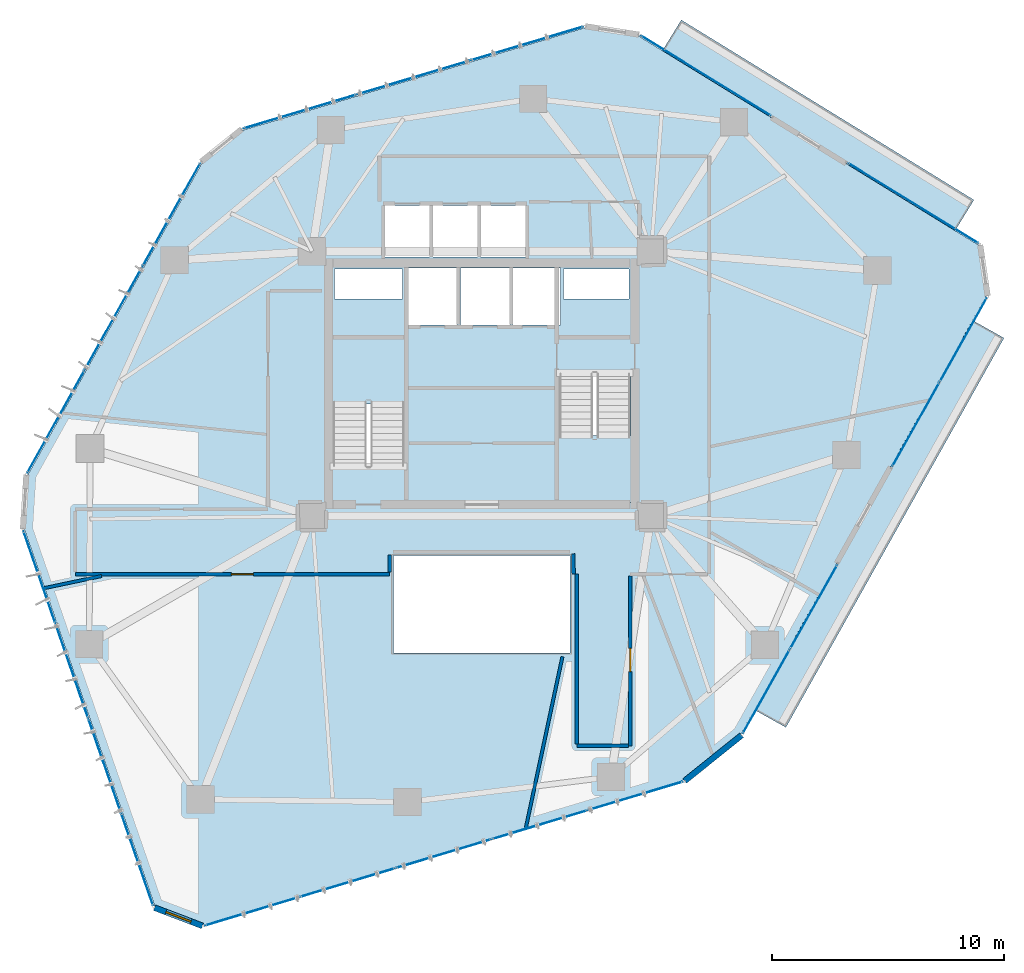
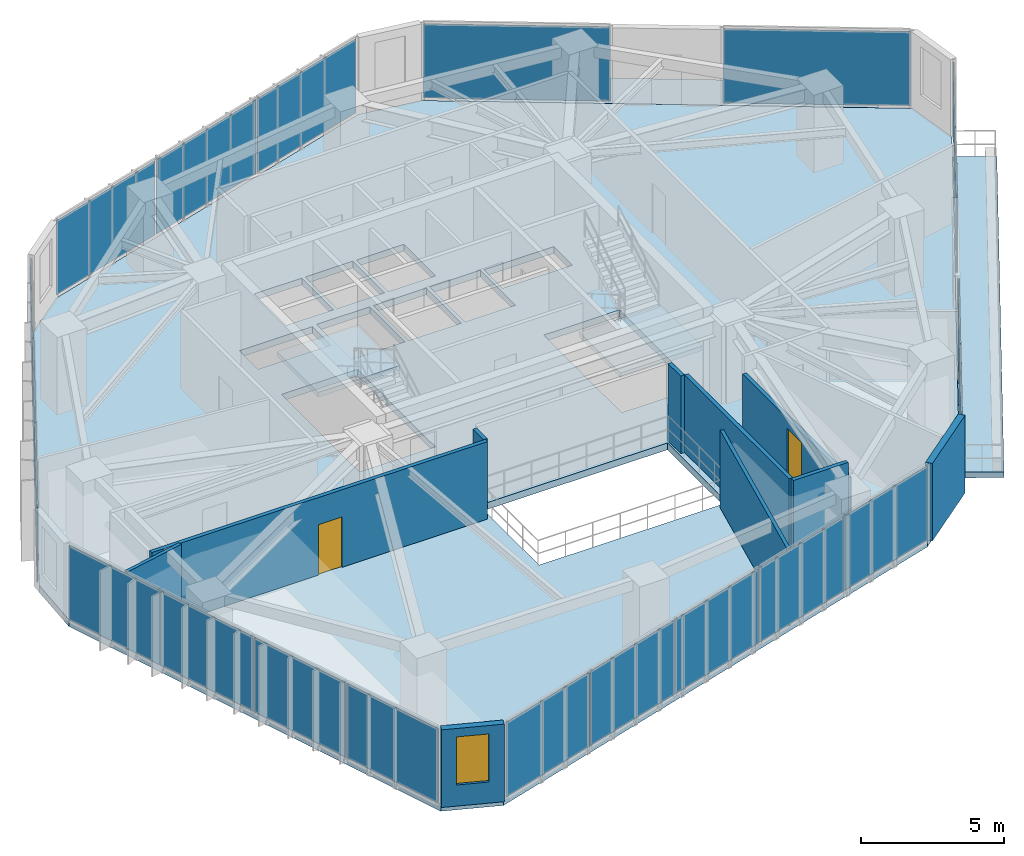
# One storey, part 15 of 21: 21 plates, 10 walls, 5 slabs, 2 doors, 1 window, 3 openings, 10 elements without a shape of their own.
"""IFC4 building model written with IfcOpenShell, lengths in metres."""

from ifc_helpers import new_model, si_unit, direction, frame, frame_2d, origin, origin_2d, place, context, subcontext, project, spatial, polyline, rectangle, outline, extrude, source, transform, mapped, material, layer, layer_set, type_object, type_shapes, element, fill, aggregate, save


model = new_model("IFC4")

# Units and contexts
model_context = context("Model", 3, precision=1e-05, world=origin(), true_north=direction((0.0, 1.0)))
body_context = subcontext(model_context, "Body", "Model", "MODEL_VIEW")
ifc_project = project(units=[si_unit("LENGTHUNIT", "METRE"), si_unit("AREAUNIT", "SQUARE_METRE"), si_unit("VOLUMEUNIT", "CUBIC_METRE"), si_unit("PLANEANGLEUNIT", "RADIAN"), si_unit("MASSUNIT", "GRAM", prefix="KILO")], contexts=[model_context])

# Site, building, storey
site_placement = place(None, origin())
site = spatial("IfcSite", under=ifc_project, at=site_placement, CompositionType="ELEMENT")
building_placement = place(site_placement, origin())
building = spatial("IfcBuilding", under=site, at=building_placement, Name="Talar Marvaseh", CompositionType="ELEMENT")
storey_placement = place(building_placement, frame((0.0, 0.0, 139.800048828125)))
storey = spatial("IfcBuildingStorey", under=building, at=storey_placement, Name="L36", CompositionType="ELEMENT", Elevation=139.800048828125)

# Slabs
ifc_material_1 = material(Name="Concrete C40/50", Category="concrete")
ifc_layer_1 = layer(ifc_material_1, 0.2451171875)
ifc_layer_set_1 = layer_set([ifc_layer_1], Name="Concrete C40/50")
slab_type_1 = type_object("IfcSlabType", Name="External Cantilevered Planted Terrace Slab 245", PredefinedType="FLOOR", material=ifc_layer_set_1)
slab_1_placement = place(storey_placement, frame((0.0, 0.0, -0.2451171875)))
element("IfcSlab", 1, at=slab_1_placement, inside=storey, type_object=slab_type_1, Name="L36 Planted Balcony Terrace 1", PredefinedType="FLOOR", context=body_context, shape_type="SweptSolid", body=[
    extrude(outline(polyline([(33.787841796875, 45.54150390625), (46.386962890625, 37.791748046875), (47.198974609375, 39.112060546875), (34.60009765625, 46.86181640625), (33.787841796875, 45.54150390625)])), origin(), (0.0, 0.0, 1.0), 0.2451171875),
])
slab_2_placement = place(storey_placement, frame((0.0, 0.0, -0.2451171875)))
element("IfcSlab", 2, at=slab_2_placement, inside=storey, type_object=slab_type_1, Name="L36 Planted Balcony Terrace 2", PredefinedType="FLOOR", context=body_context, shape_type="SweptSolid", body=[
    extrude(outline(polyline([(47.143310546875, 33.923095703125), (37.75048828125, 17.156982421875), (39.102783203125, 16.3994140625), (48.49560546875, 33.165283203125), (47.143310546875, 33.923095703125)])), origin(), (0.0, 0.0, 1.0), 0.2451171875),
])

# Stair, slab
stair_type = type_object("IfcStairType", Name="Reinforced Concrete Half-Turn Exit Stair Type B", PredefinedType="HALF_TURN_STAIR", material=ifc_material_1)
stair_1_placement = place(storey_placement, origin())
stair_1 = element("IfcStair", 3, at=stair_1_placement, inside=storey, type_object=stair_type, Name="L36 Tower West Core Exit Stair", PredefinedType="HALF_TURN_STAIR")
ifc_layer_2 = layer(ifc_material_1, 0.199951171875)
ifc_layer_set_2 = layer_set([ifc_layer_2], Name="Concrete C40/50")
slab_type_2 = type_object("IfcSlabType", Name="Reinforced Concrete Stair Half-Landing Slab 200", PredefinedType="LANDING", material=ifc_layer_set_2)
slab_3_placement = place(storey_placement, frame((0.0, 0.0, 1.599853515625)))
slab_3 = element("IfcSlab", 4, at=slab_3_placement, type_object=slab_type_2, Name="ST-1 landing 1", PredefinedType="LANDING", context=body_context, shape_type="SweptSolid", body=[
    extrude(outline(polyline([(22.780029296875, 30.330078125), (22.780029296875, 33.219970703125), (19.47998046875, 33.219970703125), (19.47998046875, 30.330078125), (22.780029296875, 30.330078125)])), origin(), (0.0, 0.0, 1.0), 0.2001953125),
])
aggregate(stair_1, [slab_3])

stair_2_placement = place(storey_placement, origin())
stair_2 = element("IfcStair", 5, at=stair_2_placement, inside=storey, type_object=stair_type, Name="L36 Tower East Core Exit Stair", PredefinedType="HALF_TURN_STAIR")
slab_4_placement = place(storey_placement, frame((0.0, 0.0, 1.599853515625)))
slab_4 = element("IfcSlab", 6, at=slab_4_placement, type_object=slab_type_2, Name="ST-2 landing 1", PredefinedType="LANDING", context=body_context, shape_type="SweptSolid", body=[
    extrude(outline(polyline([(29.219970703125, 28.969970703125), (29.219970703125, 26.080078125), (32.52001953125, 26.080078125), (32.52001953125, 28.969970703125), (29.219970703125, 28.969970703125)])), origin(), (0.0, 0.0, 1.0), 0.2001953125),
])
aggregate(stair_2, [slab_4])

# Slab
ifc_layer_3 = layer(ifc_material_1, 0.2900390625)
ifc_layer_set_3 = layer_set([ifc_layer_3], Name="Concrete C40/50")
slab_type_3 = type_object("IfcSlabType", Name="Structural Suspended Floor Slab 290", PredefinedType="FLOOR", material=ifc_layer_set_3)
slab_5_placement = place(storey_placement, frame((0.0, 0.0, -0.2900390625)))
element("IfcSlab", 7, at=slab_5_placement, inside=storey, type_object=slab_type_3, Name="L36 Tower Floor Slab", PredefinedType="FLOOR", context=body_context, shape_type="SweptSolid", body=[
    extrude(outline(polyline([(14.00390625, 7.902099609375), (11.93212890625, 8.68994140625), (6.307861328125, 24.935546875), (6.455810546875, 27.271484375), (13.959716796875, 40.70849609375), (15.710693359375, 42.113525390625), (30.453125, 46.531494140625), (32.765869140625, 46.17041015625), (47.408935546875, 37.1630859375), (47.72998046875, 34.969970703125), (37.1640625, 16.110107421875), (34.703369140625, 14.13525390625), (14.00390625, 7.902099609375)]), holes=[polyline([(22.659912109375, 27.64990234375), (22.659912109375, 33.10009765625), (19.60009765625, 33.10009765625), (19.60009765625, 27.64990234375), (22.659912109375, 27.64990234375)]), polyline([(29.340087890625, 31.64990234375), (29.340087890625, 26.199951171875), (32.39990234375, 26.199951171875), (32.39990234375, 31.64990234375), (29.340087890625, 31.64990234375)]), polyline([(22.800048828125, 33.719970703125), (24.93994140625, 33.719970703125), (24.93994140625, 36.179931640625), (22.800048828125, 36.179931640625), (22.800048828125, 33.719970703125)]), polyline([(25.080078125, 33.719970703125), (27.219970703125, 33.719970703125), (27.219970703125, 36.179931640625), (25.080078125, 36.179931640625), (25.080078125, 33.719970703125)]), polyline([(27.360107421875, 33.719970703125), (29.39990234375, 33.719970703125), (29.39990234375, 36.179931640625), (27.360107421875, 36.179931640625), (27.360107421875, 33.719970703125)]), polyline([(21.840087890625, 36.659912109375), (23.760009765625, 36.659912109375), (23.760009765625, 38.8798828125), (21.840087890625, 38.8798828125), (21.840087890625, 36.659912109375)]), polyline([(23.89990234375, 36.659912109375), (25.820068359375, 36.659912109375), (25.820068359375, 38.8798828125), (23.89990234375, 38.8798828125), (23.89990234375, 36.659912109375)]), polyline([(25.9599609375, 36.659912109375), (27.8798828125, 36.659912109375), (27.8798828125, 38.8798828125), (25.9599609375, 38.8798828125), (25.9599609375, 36.659912109375)]), polyline([(19.659912109375, 34.840087890625), (22.60009765625, 34.840087890625), (22.60009765625, 36.139892578125), (19.659912109375, 36.139892578125), (19.659912109375, 34.840087890625)]), polyline([(29.52001953125, 34.840087890625), (32.340087890625, 34.840087890625), (32.340087890625, 36.139892578125), (29.52001953125, 36.139892578125), (29.52001953125, 34.840087890625)]), polyline([(22.199951171875, 19.60009765625), (29.800048828125, 19.60009765625), (29.800048828125, 23.800048828125), (22.199951171875, 23.800048828125), (22.199951171875, 19.60009765625)])]), origin(), (0.0, 0.0, 1.0), 0.2900390625),
])

# Curtain wall, plates
ifc_material_2 = material(Name="Architectural Aluminium", Category="aluminium")
ifc_layer_4 = layer(ifc_material_2, 0.199951171875)
ifc_layer_set_4 = layer_set([ifc_layer_4], Name="Architectural Aluminium")
curtain_wall_type = type_object("IfcCurtainWallType", Name="Unitised Acoustic Library Curtain Wall Z2", PredefinedType="NOTDEFINED", material=ifc_layer_set_4)
curtain_wall_1_placement = place(storey_placement, origin())
curtain_wall_1 = element("IfcCurtainWall", 8, at=curtain_wall_1_placement, inside=storey, type_object=curtain_wall_type, Name="L36 Unitised Acoustic Library Curtain Wall Z2", PredefinedType="NOTDEFINED")
ifc_material_3 = material(Name="Laminated Low-E Solar Glass", Category="glass")
ifc_layer_5 = layer(ifc_material_3, 0.028076171875)
ifc_layer_set_5 = layer_set([ifc_layer_5], Name="Laminated Low-E Solar Glass")
plate_type = type_object("IfcPlateType", Name="Double-Glazed Low-E Vision Curtain Panel 28", PredefinedType="CURTAIN_PANEL", material=ifc_layer_set_5)
shared_shape_1 = source(origin(), body_context, "Body", "SweptSolid", [
    extrude(rectangle(XDim=4.185302734375, YDim=0.028076171875, at=origin_2d()), origin(), (0.0, 0.0, 1.0), 3.159912109375),
])
plate_1_placement = place(storey_placement, frame((11.166259765625, 10.71875, 0.0751953125), z_axis=(0.0, 0.0, 1.0), x_axis=(-0.327160309784, 0.944968852239, 0.0)))
plate_1 = element("IfcPlate", 9, at=plate_1_placement, type_object=plate_type, Name="CW-Z2 panel 1.1", PredefinedType="CURTAIN_PANEL", context=body_context, shape_type="MappedRepresentation", body=[
    mapped(shared_shape_1, transform((0.0, 0.0, 0.0), x_axis=(1.0, 0.0, 0.0), y_axis=(0.0, 1.0, 0.0), z_axis=(0.0, 0.0, 1.0), scale=1.0)),
])
plate_2_placement = place(storey_placement, frame((6.960205078125, 22.867431640625, 0.0751953125), z_axis=(0.0, 0.0, 1.0), x_axis=(-0.327160309784, 0.944968852239, 0.0)))
plate_2 = element("IfcPlate", 10, at=plate_2_placement, type_object=plate_type, Name="CW-Z2 panel 4.1", PredefinedType="CURTAIN_PANEL", context=body_context, shape_type="MappedRepresentation", body=[
    mapped(shared_shape_1, transform((0.0, 0.0, 0.0), x_axis=(1.0, 0.0, 0.0), y_axis=(0.0, 1.0, 0.0), z_axis=(0.0, 0.0, 1.0), scale=1.0)),
])
shared_shape_2 = source(origin(), body_context, "Body", "SweptSolid", [
    extrude(rectangle(XDim=4.222900390625, YDim=0.028076171875, at=origin_2d()), origin(), (0.0, 0.0, 1.0), 3.159912109375),
])
plate_3_placement = place(storey_placement, frame((9.766357421875, 14.762451171875, 0.0751953125), z_axis=(0.0, 0.0, 1.0), x_axis=(-0.327160309784, 0.944968852239, 0.0)))
plate_3 = element("IfcPlate", 11, at=plate_3_placement, type_object=plate_type, Name="CW-Z2 panel 2.1", PredefinedType="CURTAIN_PANEL", context=body_context, shape_type="MappedRepresentation", body=[
    mapped(shared_shape_2, transform((0.0, 0.0, 0.0), x_axis=(1.0, 0.0, 0.0), y_axis=(0.0, 1.0, 0.0), z_axis=(0.0, 0.0, 1.0), scale=1.0)),
])
plate_4_placement = place(storey_placement, frame((8.3603515625, 18.82373046875, 0.0751953125), z_axis=(0.0, 0.0, 1.0), x_axis=(-0.327160309784, 0.944968852239, 0.0)))
plate_4 = element("IfcPlate", 12, at=plate_4_placement, type_object=plate_type, Name="CW-Z2 panel 3.1", PredefinedType="CURTAIN_PANEL", context=body_context, shape_type="MappedRepresentation", body=[
    mapped(shared_shape_2, transform((0.0, 0.0, 0.0), x_axis=(1.0, 0.0, 0.0), y_axis=(0.0, 1.0, 0.0), z_axis=(0.0, 0.0, 1.0), scale=1.0)),
])
aggregate(curtain_wall_1, [plate_1, plate_3, plate_4, plate_2])

curtain_wall_2_placement = place(storey_placement, origin())
curtain_wall_2 = element("IfcCurtainWall", 13, at=curtain_wall_2_placement, inside=storey, type_object=curtain_wall_type, Name="L36 Unitised Acoustic Library Curtain Wall Z2", PredefinedType="NOTDEFINED")
shared_shape_3 = source(origin(), body_context, "Body", "SweptSolid", [
    extrude(rectangle(XDim=5.017578125, YDim=0.028076171875, at=origin_2d()), origin(), (0.0, 0.0, 1.0), 3.159912109375),
])
plate_5_placement = place(storey_placement, frame((7.663330078125, 29.556640625, 0.0751953125), z_axis=(0.0, 0.0, 1.0), x_axis=(0.48758367207, 0.873076263983, 0.0)))
plate_5 = element("IfcPlate", 14, at=plate_5_placement, type_object=plate_type, Name="CW-Z2 panel 1.1", PredefinedType="CURTAIN_PANEL", context=body_context, shape_type="MappedRepresentation", body=[
    mapped(shared_shape_3, transform((0.0, 0.0, 0.0), x_axis=(1.0, 0.0, 0.0), y_axis=(0.0, 1.0, 0.0), z_axis=(0.0, 0.0, 1.0), scale=1.0)),
])
plate_6_placement = place(storey_placement, frame((12.647705078125, 38.48193359375, 0.0751953125), z_axis=(0.0, 0.0, 1.0), x_axis=(0.48758367207, 0.873076263983, 0.0)))
plate_6 = element("IfcPlate", 15, at=plate_6_placement, type_object=plate_type, Name="CW-Z2 panel 3.1", PredefinedType="CURTAIN_PANEL", context=body_context, shape_type="MappedRepresentation", body=[
    mapped(shared_shape_3, transform((0.0, 0.0, 0.0), x_axis=(1.0, 0.0, 0.0), y_axis=(0.0, 1.0, 0.0), z_axis=(0.0, 0.0, 1.0), scale=1.0)),
])

curtain_wall_3_placement = place(storey_placement, origin())
curtain_wall_3 = element("IfcCurtainWall", 16, at=curtain_wall_3_placement, inside=storey, type_object=curtain_wall_type, Name="L36 Unitised Acoustic Library Curtain Wall Z2", PredefinedType="NOTDEFINED")
plate_7_placement = place(storey_placement, frame((18.16845703125, 42.912841796875, 0.0751953125), z_axis=(0.0, 0.0, 1.0), x_axis=(0.957912440567, 0.287060544497, 0.0)))
plate_7 = element("IfcPlate", 17, at=plate_7_placement, type_object=plate_type, Name="CW-Z2 panel 1.1", PredefinedType="CURTAIN_PANEL", context=body_context, shape_type="MappedRepresentation", body=[
    mapped(shared_shape_3, transform((0.0, 0.0, 0.0), x_axis=(1.0, 0.0, 0.0), y_axis=(0.0, 1.0, 0.0), z_axis=(0.0, 0.0, 1.0), scale=1.0)),
])
plate_8_placement = place(storey_placement, frame((27.9609375, 45.847412109375, 0.0751953125), z_axis=(0.0, 0.0, 1.0), x_axis=(0.957912440567, 0.287060544497, 0.0)))
plate_8 = element("IfcPlate", 18, at=plate_8_placement, type_object=plate_type, Name="CW-Z2 panel 3.1", PredefinedType="CURTAIN_PANEL", context=body_context, shape_type="MappedRepresentation", body=[
    mapped(shared_shape_3, transform((0.0, 0.0, 0.0), x_axis=(1.0, 0.0, 0.0), y_axis=(0.0, 1.0, 0.0), z_axis=(0.0, 0.0, 1.0), scale=1.0)),
])
shared_shape_4 = source(origin(), body_context, "Body", "SweptSolid", [
    extrude(rectangle(XDim=5.054931640625, YDim=0.028076171875, at=origin_2d()), origin(), (0.0, 0.0, 1.0), 3.159912109375),
])
plate_9_placement = place(storey_placement, frame((23.064697265625, 44.380126953125, 0.0751953125), z_axis=(0.0, 0.0, 1.0), x_axis=(0.957912440567, 0.287060544497, 0.0)))
plate_9 = element("IfcPlate", 19, at=plate_9_placement, type_object=plate_type, Name="CW-Z2 panel 2.1", PredefinedType="CURTAIN_PANEL", context=body_context, shape_type="MappedRepresentation", body=[
    mapped(shared_shape_4, transform((0.0, 0.0, 0.0), x_axis=(1.0, 0.0, 0.0), y_axis=(0.0, 1.0, 0.0), z_axis=(0.0, 0.0, 1.0), scale=1.0)),
])
aggregate(curtain_wall_3, [plate_7, plate_9, plate_8])

# Plate
shared_shape_5 = source(origin(), body_context, "Body", "SweptSolid", [
    extrude(rectangle(XDim=5.05517578125, YDim=0.028076171875, at=origin_2d()), origin(), (0.0, 0.0, 1.0), 3.159912109375),
])
plate_10_placement = place(storey_placement, frame((10.155517578125, 34.019287109375, 0.0751953125), z_axis=(0.0, 0.0, 1.0), x_axis=(0.48758367207, 0.873076263983, 0.0)))
plate_10 = element("IfcPlate", 20, at=plate_10_placement, type_object=plate_type, Name="CW-Z2 panel 2.1", PredefinedType="CURTAIN_PANEL", context=body_context, shape_type="MappedRepresentation", body=[
    mapped(shared_shape_5, transform((0.0, 0.0, 0.0), x_axis=(1.0, 0.0, 0.0), y_axis=(0.0, 1.0, 0.0), z_axis=(0.0, 0.0, 1.0), scale=1.0)),
])

aggregate(curtain_wall_2, [plate_5, plate_10, plate_6])

# Curtain wall, plates
curtain_wall_4_placement = place(storey_placement, origin())
curtain_wall_4 = element("IfcCurtainWall", 21, at=curtain_wall_4_placement, inside=storey, type_object=curtain_wall_type, Name="L36 Unitised Acoustic Library Curtain Wall Z2", PredefinedType="NOTDEFINED")
shared_shape_6 = source(origin(), body_context, "Body", "SweptSolid", [
    extrude(rectangle(XDim=4.2109375, YDim=0.028076171875, at=origin_2d()), origin(), (0.0, 0.0, 1.0), 3.159912109375),
])
plate_11_placement = place(storey_placement, frame((32.6328125, 13.448974609375, 0.0751953125), z_axis=(0.0, 0.0, 1.0), x_axis=(-0.9575272101, -0.288342924167, 0.0)))
plate_11 = element("IfcPlate", 22, at=plate_11_placement, type_object=plate_type, Name="CW-Z2 panel 1.1", PredefinedType="CURTAIN_PANEL", context=body_context, shape_type="MappedRepresentation", body=[
    mapped(shared_shape_6, transform((0.0, 0.0, 0.0), x_axis=(1.0, 0.0, 0.0), y_axis=(0.0, 1.0, 0.0), z_axis=(0.0, 0.0, 1.0), scale=1.0)),
])
plate_12_placement = place(storey_placement, frame((16.109130859375, 8.47314453125, 0.0751953125), z_axis=(0.0, 0.0, 1.0), x_axis=(-0.9575272101, -0.288342924167, 0.0)))
plate_12 = element("IfcPlate", 23, at=plate_12_placement, type_object=plate_type, Name="CW-Z2 panel 5.1", PredefinedType="CURTAIN_PANEL", context=body_context, shape_type="MappedRepresentation", body=[
    mapped(shared_shape_6, transform((0.0, 0.0, 0.0), x_axis=(1.0, 0.0, 0.0), y_axis=(0.0, 1.0, 0.0), z_axis=(0.0, 0.0, 1.0), scale=1.0)),
])
shared_shape_7 = source(origin(), body_context, "Body", "SweptSolid", [
    extrude(rectangle(XDim=4.24853515625, YDim=0.028076171875, at=origin_2d()), origin(), (0.0, 0.0, 1.0), 3.159912109375),
])
plate_13_placement = place(storey_placement, frame((28.5107421875, 12.207763671875, 0.0751953125), z_axis=(0.0, 0.0, 1.0), x_axis=(-0.9575272101, -0.288342924167, 0.0)))
plate_13 = element("IfcPlate", 24, at=plate_13_placement, type_object=plate_type, Name="CW-Z2 panel 2.1", PredefinedType="CURTAIN_PANEL", context=body_context, shape_type="MappedRepresentation", body=[
    mapped(shared_shape_7, transform((0.0, 0.0, 0.0), x_axis=(1.0, 0.0, 0.0), y_axis=(0.0, 1.0, 0.0), z_axis=(0.0, 0.0, 1.0), scale=1.0)),
])
plate_14_placement = place(storey_placement, frame((24.370849609375, 10.961181640625, 0.0751953125), z_axis=(0.0, 0.0, 1.0), x_axis=(-0.9575272101, -0.288342924167, 0.0)))
plate_14 = element("IfcPlate", 25, at=plate_14_placement, type_object=plate_type, Name="CW-Z2 panel 3.1", PredefinedType="CURTAIN_PANEL", context=body_context, shape_type="MappedRepresentation", body=[
    mapped(shared_shape_7, transform((0.0, 0.0, 0.0), x_axis=(1.0, 0.0, 0.0), y_axis=(0.0, 1.0, 0.0), z_axis=(0.0, 0.0, 1.0), scale=1.0)),
])
plate_15_placement = place(storey_placement, frame((20.23095703125, 9.714599609375, 0.0751953125), z_axis=(0.0, 0.0, 1.0), x_axis=(-0.9575272101, -0.288342924167, 0.0)))
plate_15 = element("IfcPlate", 26, at=plate_15_placement, type_object=plate_type, Name="CW-Z2 panel 4.1", PredefinedType="CURTAIN_PANEL", context=body_context, shape_type="MappedRepresentation", body=[
    mapped(shared_shape_7, transform((0.0, 0.0, 0.0), x_axis=(1.0, 0.0, 0.0), y_axis=(0.0, 1.0, 0.0), z_axis=(0.0, 0.0, 1.0), scale=1.0)),
])
aggregate(curtain_wall_4, [plate_11, plate_13, plate_14, plate_15, plate_12])

curtain_wall_5_placement = place(storey_placement, origin())
curtain_wall_5 = element("IfcCurtainWall", 27, at=curtain_wall_5_placement, inside=storey, type_object=curtain_wall_type, Name="L36 Unitised Acoustic Library Curtain Wall Z2", PredefinedType="NOTDEFINED")
shared_shape_8 = source(origin(), body_context, "Body", "SweptSolid", [
    extrude(rectangle(XDim=4.10302734375, YDim=0.028076171875, at=origin_2d()), origin(), (0.0, 0.0, 1.0), 3.159912109375),
])
plate_16_placement = place(storey_placement, frame((46.742919921875, 33.08544921875, 0.0751953125), z_axis=(0.0, 0.0, 1.0), x_axis=(-0.488759751161, -0.87241842349, 0.0)))
plate_16 = element("IfcPlate", 28, at=plate_16_placement, type_object=plate_type, Name="CW-Z2 panel 1.1", PredefinedType="CURTAIN_PANEL", context=body_context, shape_type="MappedRepresentation", body=[
    mapped(shared_shape_8, transform((0.0, 0.0, 0.0), x_axis=(1.0, 0.0, 0.0), y_axis=(0.0, 1.0, 0.0), z_axis=(0.0, 0.0, 1.0), scale=1.0)),
])
plate_17_placement = place(storey_placement, frame((44.700927734375, 29.4404296875, 0.0751953125), z_axis=(0.0, 0.0, 1.0), x_axis=(-0.488759751161, -0.87241842349, 0.0)))
plate_17 = element("IfcPlate", 29, at=plate_17_placement, type_object=plate_type, Name="CW-Z2 panel 2.1", PredefinedType="CURTAIN_PANEL", context=body_context, shape_type="MappedRepresentation", body=[
    mapped(shared_shape_8, transform((0.0, 0.0, 0.0), x_axis=(1.0, 0.0, 0.0), y_axis=(0.0, 1.0, 0.0), z_axis=(0.0, 0.0, 1.0), scale=1.0)),
])
aggregate(curtain_wall_5, [plate_16, plate_17])

curtain_wall_6_placement = place(storey_placement, origin())
curtain_wall_6 = element("IfcCurtainWall", 30, at=curtain_wall_6_placement, inside=storey, type_object=curtain_wall_type, Name="L36 Unitised Acoustic Library Curtain Wall Z2", PredefinedType="NOTDEFINED")
plate_18_placement = place(storey_placement, frame((40.2978515625, 21.5810546875, 0.0751953125), z_axis=(0.0, 0.0, 1.0), x_axis=(-0.488759751161, -0.87241842349, 0.0)))
plate_18 = element("IfcPlate", 31, at=plate_18_placement, type_object=plate_type, Name="CW-Z2 panel 1.1", PredefinedType="CURTAIN_PANEL", context=body_context, shape_type="MappedRepresentation", body=[
    mapped(shared_shape_8, transform((0.0, 0.0, 0.0), x_axis=(1.0, 0.0, 0.0), y_axis=(0.0, 1.0, 0.0), z_axis=(0.0, 0.0, 1.0), scale=1.0)),
])
plate_19_placement = place(storey_placement, frame((38.255859375, 17.93603515625, 0.0751953125), z_axis=(0.0, 0.0, 1.0), x_axis=(-0.488759751161, -0.87241842349, 0.0)))
plate_19 = element("IfcPlate", 32, at=plate_19_placement, type_object=plate_type, Name="CW-Z2 panel 2.1", PredefinedType="CURTAIN_PANEL", context=body_context, shape_type="MappedRepresentation", body=[
    mapped(shared_shape_8, transform((0.0, 0.0, 0.0), x_axis=(1.0, 0.0, 0.0), y_axis=(0.0, 1.0, 0.0), z_axis=(0.0, 0.0, 1.0), scale=1.0)),
])
aggregate(curtain_wall_6, [plate_18, plate_19])

# Curtain wall, plate
curtain_wall_7_placement = place(storey_placement, origin())
curtain_wall_7 = element("IfcCurtainWall", 33, at=curtain_wall_7_placement, inside=storey, type_object=curtain_wall_type, Name="L36 Unitised Acoustic Library Curtain Wall Z2", PredefinedType="NOTDEFINED")
shared_shape_9 = source(origin(), body_context, "Body", "SweptSolid", [
    extrude(rectangle(XDim=6.5546875, YDim=0.028076171875, at=origin_2d()), origin(), (0.0, 0.0, 1.0), 3.159912109375),
])
type_shapes(plate_type, [shared_shape_1, shared_shape_2, shared_shape_3, shared_shape_4, shared_shape_5, shared_shape_6, shared_shape_7, shared_shape_8, shared_shape_9])
plate_20_placement = place(storey_placement, frame((35.652587890625, 44.465087890625, 0.0751953125), z_axis=(0.0, 0.0, 1.0), x_axis=(0.85176072043, -0.523930983177, 0.0)))
plate_20 = element("IfcPlate", 34, at=plate_20_placement, type_object=plate_type, Name="CW-Z2 panel 1.1", PredefinedType="CURTAIN_PANEL", context=body_context, shape_type="MappedRepresentation", body=[
    mapped(shared_shape_9, transform((0.0, 0.0, 0.0), x_axis=(1.0, 0.0, 0.0), y_axis=(0.0, 1.0, 0.0), z_axis=(0.0, 0.0, 1.0), scale=1.0)),
])
aggregate(curtain_wall_7, [plate_20])

curtain_wall_8_placement = place(storey_placement, origin())
curtain_wall_8 = element("IfcCurtainWall", 35, at=curtain_wall_8_placement, inside=storey, type_object=curtain_wall_type, Name="L36 Unitised Acoustic Library Curtain Wall Z2", PredefinedType="NOTDEFINED")
plate_21_placement = place(storey_placement, frame((44.5849609375, 38.970703125, 0.0751953125), z_axis=(0.0, 0.0, 1.0), x_axis=(0.85176072043, -0.523930983177, 0.0)))
plate_21 = element("IfcPlate", 36, at=plate_21_placement, type_object=plate_type, Name="CW-Z2 panel 1.1", PredefinedType="CURTAIN_PANEL", context=body_context, shape_type="MappedRepresentation", body=[
    mapped(shared_shape_9, transform((0.0, 0.0, 0.0), x_axis=(1.0, 0.0, 0.0), y_axis=(0.0, 1.0, 0.0), z_axis=(0.0, 0.0, 1.0), scale=1.0)),
])
aggregate(curtain_wall_8, [plate_21])

# Wall, opening, window
ifc_material_4 = material(Name="Precast concrete C45/55", Category="concrete")
ifc_layer_6 = layer(ifc_material_4, 0.2548828125)
ifc_layer_set_6 = layer_set([ifc_layer_6], Name="Precast concrete C45/55")
wall_type_1 = type_object("IfcWallType", Name="Chamfered Hexagonal Corner Pier Wall Z2 255", PredefinedType="SOLIDWALL", material=ifc_layer_set_6)
wall_1_placement = place(storey_placement, frame((13.982666015625, 7.845947265625, 0.0), z_axis=(0.0, 0.0, 1.0), x_axis=(-0.934698701868, 0.35544104536, 0.0)))
wall_1 = element("IfcWall", 37, at=wall_1_placement, inside=storey, type_object=wall_type_1, Name="L36 Chamfered Corner Limestone Pier 1", PredefinedType="SOLIDWALL", context=body_context, shape_type="SweptSolid", body=[
    extrude(rectangle(XDim=2.216552734375, YDim=0.2548828125, at=frame_2d((1.1083984375, 0.0))), origin(), (0.0, 0.0, 1.0), 3.31005859375),
])
opening_1_placement = place(wall_1_placement, frame((0.532958984375, 0.0, 0.89990234375)))
opening_1 = element("IfcOpeningElement", 38, at=opening_1_placement, cuts=wall_1, Name="Opening WN-CHM11", PredefinedType="OPENING", context=body_context, shape_type="SweptSolid", body=[
    extrude(rectangle(XDim=1.14990234375, YDim=2.050048828125, at=frame_2d((0.574951171875, 1.02490234375))), frame((0.0, 0.137451171875, 0.0), z_axis=(0.0, -1.0, 0.0), x_axis=(1.0, 0.0, 0.0)), (0.0, 0.0, 1.0), 0.27490234375),
])
window_type = type_object("IfcWindowType", Name="Zone 2 Chamfered Corner Slot Window 1150x2050", PartitioningType="SINGLE_PANEL", PredefinedType="WINDOW", material=ifc_material_3)
shared_shape_10 = source(origin(), body_context, "Body", "SweptSolid", [
    extrude(rectangle(XDim=1.14990234375, YDim=2.050048828125, at=frame_2d((0.574951171875, 1.02490234375))), frame((0.0, 0.030029296875, 0.0), z_axis=(0.0, -1.0, 0.0), x_axis=(1.0, 0.0, 0.0)), (0.0, 0.0, 1.0), 0.06005859375),
])
type_shapes(window_type, [shared_shape_10])
window_placement = place(opening_1_placement, origin())
window = element("IfcWindow", 39, at=window_placement, inside=storey, type_object=window_type, Name="L36 Chamfered Corner Slot Window", OverallHeight=2.050048828125, OverallWidth=1.14990234375, PartitioningType="SINGLE_PANEL", PredefinedType="WINDOW", context=body_context, shape_type="MappedRepresentation", body=[
    mapped(shared_shape_10, transform((0.0, 0.0, 0.0), x_axis=(1.0, 0.0, 0.0), y_axis=(0.0, 1.0, 0.0), z_axis=(0.0, 0.0, 1.0), scale=1.0)),
])
fill(opening_1, window)

# Wall
wall_2_placement = place(storey_placement, frame((37.20166015625, 16.0634765625, 0.0), z_axis=(0.0, 0.0, 1.0), x_axis=(-0.779856257427, -0.62595863901, 0.0)))
element("IfcWall", 40, at=wall_2_placement, inside=storey, type_object=wall_type_1, Name="L36 Chamfered Corner Limestone Pier 6", PredefinedType="SOLIDWALL", context=body_context, shape_type="SweptSolid", body=[
    extrude(rectangle(XDim=3.1552734375, YDim=0.2548828125, at=frame_2d((1.57763671875, 0.0))), origin(), (0.0, 0.0, 1.0), 3.31005859375),
])

# Wall, opening, door
ifc_material_5 = material(Name="Gypsum Board Partition Assembly")
ifc_layer_7 = layer(ifc_material_5, 0.155029296875)
ifc_layer_set_7 = layer_set([ifc_layer_7], Name="Gypsum Board Partition Assembly")
wall_type_2 = type_object("IfcWallType", Name="Corridor Fire-Rated Acoustic Partition 155", PredefinedType="PARTITIONING", material=ifc_layer_set_7)
wall_3_placement = place(storey_placement, frame((22.0400390625, 23.0, 0.0), z_axis=(0.0, 0.0, 1.0), x_axis=(-1.0, 0.0, 0.0)))
wall_3 = element("IfcWall", 41, at=wall_3_placement, inside=storey, type_object=wall_type_2, Name="L36 Interior Partition Wall", PredefinedType="PARTITIONING", context=body_context, shape_type="SweptSolid", body=[
    extrude(rectangle(XDim=13.5400390625, YDim=0.155029296875, at=frame_2d((6.77001953125, 0.0))), origin(), (0.0, 0.0, 1.0), 3.31005859375),
])
opening_2_placement = place(wall_3_placement, frame((5.8671875, 0.0, 0.0)))
opening_2 = element("IfcOpeningElement", 42, at=opening_2_placement, cuts=wall_3, Name="Opening DR-WC095", PredefinedType="OPENING", context=body_context, shape_type="SweptSolid", body=[
    extrude(rectangle(XDim=0.949951171875, YDim=2.14990234375, at=frame_2d((0.47509765625, 1.074951171875))), frame((0.0, 0.08740234375, 0.0), z_axis=(0.0, -1.0, 0.0), x_axis=(1.0, 0.0, 0.0)), (0.0, 0.0, 1.0), 0.175048828125),
])
ifc_material_6 = material(Name="Acoustic Engineered Oak Timber", Category="wood")
door_type_1 = type_object("IfcDoorType", Name="Washroom and Service Room Door 950x2150", OperationType="NOTDEFINED", PredefinedType="DOOR", material=ifc_material_6)
shared_shape_11 = source(origin(), body_context, "Body", "SweptSolid", [
    extrude(rectangle(XDim=0.949951171875, YDim=2.14990234375, at=frame_2d((0.47509765625, 1.074951171875))), frame((0.0, 0.02490234375, 0.0), z_axis=(0.0, -1.0, 0.0), x_axis=(1.0, 0.0, 0.0)), (0.0, 0.0, 1.0), 0.050048828125),
])
type_shapes(door_type_1, [shared_shape_11])
door_1_placement = place(opening_2_placement, origin())
door_1 = element("IfcDoor", 43, at=door_1_placement, inside=storey, type_object=door_type_1, Name="L36 Rare Books Archive Room Door", OperationType="SINGLE_SWING_RIGHT", OverallHeight=2.14990234375, OverallWidth=0.949951171875, PredefinedType="DOOR", context=body_context, shape_type="MappedRepresentation", body=[
    mapped(shared_shape_11, transform((0.0, 0.0, 0.0), x_axis=(1.0, 0.0, 0.0), y_axis=(0.0, 1.0, 0.0), z_axis=(0.0, 0.0, 1.0), scale=1.0)),
])
fill(opening_2, door_1)

wall_4_placement = place(storey_placement, frame((32.39990234375, 22.91650390625, 0.0), z_axis=(0.0, 0.0, 1.0), x_axis=(0.0, -1.0, 0.0)))
wall_4 = element("IfcWall", 44, at=wall_4_placement, inside=storey, type_object=wall_type_2, Name="L36 Interior Partition Wall", PredefinedType="PARTITIONING", context=body_context, shape_type="SweptSolid", body=[
    extrude(rectangle(XDim=7.31640625, YDim=0.155029296875, at=frame_2d((3.658203125, 0.0))), origin(), (0.0, 0.0, 1.0), 2.58984375),
])
opening_3_placement = place(wall_4_placement, frame((3.116455078125, 0.0, 0.0)))
opening_3 = element("IfcOpeningElement", 45, at=opening_3_placement, cuts=wall_4, Name="Opening DR-RM100", PredefinedType="OPENING", context=body_context, shape_type="SweptSolid", body=[
    extrude(rectangle(XDim=1.0, YDim=2.14990234375, at=frame_2d((0.5, 1.074951171875))), frame((0.0, 0.08740234375, 0.0), z_axis=(0.0, -1.0, 0.0), x_axis=(1.0, 0.0, 0.0)), (0.0, 0.0, 1.0), 0.175048828125),
])
door_type_2 = type_object("IfcDoorType", Name="Corridor Fire-Rated Gallery Door 1000x2150", OperationType="NOTDEFINED", PredefinedType="DOOR", material=ifc_material_6)
shared_shape_12 = source(origin(), body_context, "Body", "SweptSolid", [
    extrude(rectangle(XDim=1.0, YDim=2.14990234375, at=frame_2d((0.5, 1.074951171875))), frame((0.0, 0.02490234375, 0.0), z_axis=(0.0, -1.0, 0.0), x_axis=(1.0, 0.0, 0.0)), (0.0, 0.0, 1.0), 0.050048828125),
])
type_shapes(door_type_2, [shared_shape_12])
door_2_placement = place(opening_3_placement, origin())
door_2 = element("IfcDoor", 46, at=door_2_placement, inside=storey, type_object=door_type_2, Name="L36 Archival Research Office Door", OperationType="SINGLE_SWING_LEFT", OverallHeight=2.14990234375, OverallWidth=1.0, PredefinedType="DOOR", context=body_context, shape_type="MappedRepresentation", body=[
    mapped(shared_shape_12, transform((0.0, 0.0, 0.0), x_axis=(1.0, 0.0, 0.0), y_axis=(0.0, 1.0, 0.0), z_axis=(0.0, 0.0, 1.0), scale=1.0)),
])
fill(opening_3, door_2)

# Walls
wall_5_placement = place(storey_placement, frame((22.043212890625, 23.831298828125, 0.0), z_axis=(0.0, 0.0, 1.0), x_axis=(-0.003917697652, -0.999992325793, 0.0)))
element("IfcWall", 47, at=wall_5_placement, inside=storey, type_object=wall_type_2, Name="L36 Interior Partition Wall", PredefinedType="PARTITIONING", context=body_context, shape_type="SweptSolid", body=[
    extrude(rectangle(XDim=0.747802734375, YDim=0.155029296875, at=frame_2d((0.3740234375, 0.0))), origin(), (0.0, 0.0, 1.0), 3.31005859375),
])
wall_6_placement = place(storey_placement, frame((32.31640625, 15.60009765625, 0.0), z_axis=(0.0, 0.0, 1.0), x_axis=(-1.0, 0.0, 0.0)))
element("IfcWall", 48, at=wall_6_placement, inside=storey, type_object=wall_type_2, Name="L36 Interior Partition Wall", PredefinedType="PARTITIONING", context=body_context, shape_type="SweptSolid", body=[
    extrude(rectangle(XDim=2.21630859375, YDim=0.155029296875, at=frame_2d((1.108154296875, 0.0))), origin(), (0.0, 0.0, 1.0), 3.31005859375),
])
wall_7_placement = place(storey_placement, frame((30.10009765625, 15.68359375, 0.0), z_axis=(0.0, 0.0, 1.0), x_axis=(0.0, 1.0, 0.0)))
element("IfcWall", 49, at=wall_7_placement, inside=storey, type_object=wall_type_2, Name="L36 Interior Partition Wall", PredefinedType="PARTITIONING", context=body_context, shape_type="SweptSolid", body=[
    extrude(rectangle(XDim=7.31640625, YDim=0.155029296875, at=frame_2d((3.658203125, 0.0))), origin(), (0.0, 0.0, 1.0), 3.31005859375),
])
wall_8_placement = place(storey_placement, frame((29.9599609375, 23.0, 0.0), z_axis=(0.0, 0.0, 1.0), x_axis=(-0.021467444279, 0.999769547864, 0.0)))
element("IfcWall", 50, at=wall_8_placement, inside=storey, type_object=wall_type_2, Name="L36 Interior Partition Wall", PredefinedType="PARTITIONING", context=body_context, shape_type="SweptSolid", body=[
    extrude(rectangle(XDim=0.875732421875, YDim=0.155029296875, at=frame_2d((0.43798828125, 0.0))), origin(), (0.0, 0.0, 1.0), 3.31005859375),
])
ifc_layer_8 = layer(ifc_material_5, 0.135009765625)
ifc_layer_set_8 = layer_set([ifc_layer_8], Name="Gypsum Board Partition Assembly")
wall_type_3 = type_object("IfcWallType", Name="Gallery High-Acoustic Partition 135", PredefinedType="PARTITIONING", material=ifc_layer_set_8)
wall_9_placement = place(storey_placement, frame((9.634521484375, 22.91650390625, 0.0), z_axis=(0.0, 0.0, 1.0), x_axis=(-0.978423050796, -0.206611552606, 0.0)))
element("IfcWall", 51, at=wall_9_placement, inside=storey, type_object=wall_type_3, Name="L36 Interior Partition Wall", PredefinedType="PARTITIONING", context=body_context, shape_type="SweptSolid", body=[
    extrude(rectangle(XDim=2.5380859375, YDim=0.135009765625, at=frame_2d((1.26904296875, 0.0))), origin(), (0.0, 0.0, 1.0), 3.31005859375),
])
wall_10_placement = place(storey_placement, frame((29.47998046875, 19.43994140625, 0.0), z_axis=(0.0, 0.0, 1.0), x_axis=(-0.209145367318, -0.977884561351, 0.0)))
element("IfcWall", 52, at=wall_10_placement, inside=storey, type_object=wall_type_3, Name="L36 Interior Partition Wall", PredefinedType="PARTITIONING", context=body_context, shape_type="SweptSolid", body=[
    extrude(rectangle(XDim=7.560791015625, YDim=0.135009765625, at=frame_2d((3.7802734375, 0.0))), origin(), (0.0, 0.0, 1.0), 3.31005859375),
])

save(model, "model.ifc")
